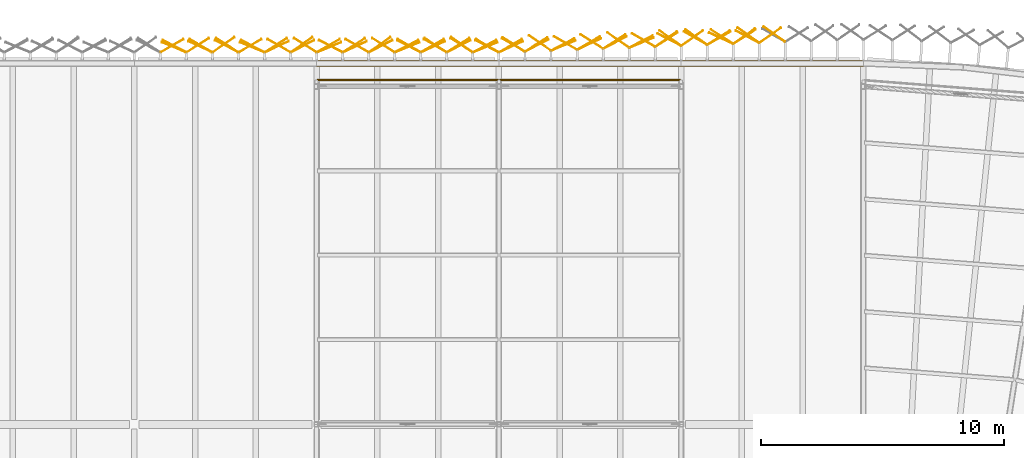
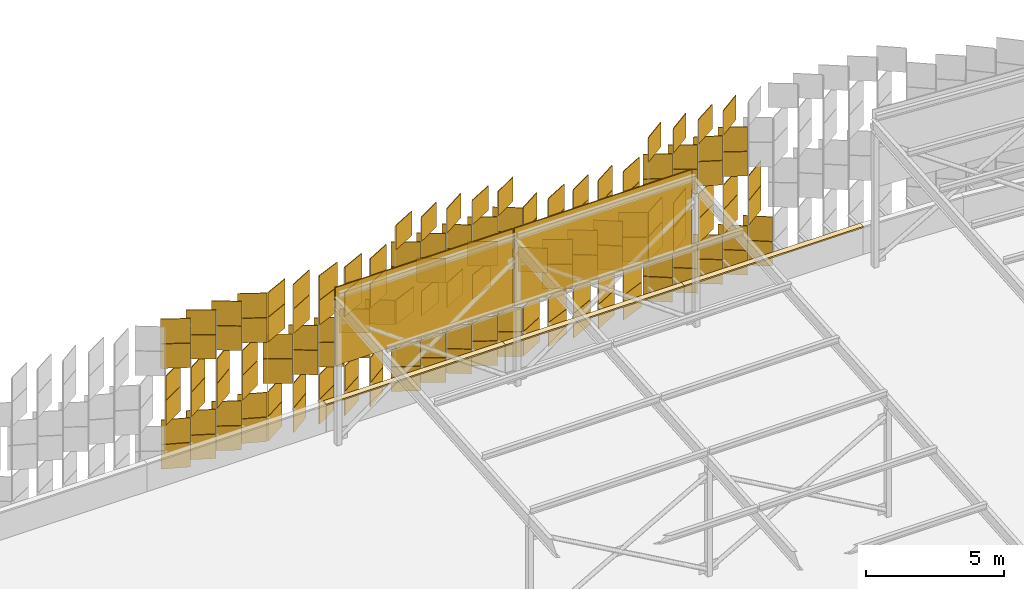
# One storey, part 480 of 483: 156 coverings.
"""IFC4 building model written with IfcOpenShell, lengths in metres."""

from ifc_helpers import new_model, si_unit, direction, frame, origin, origin_2d, place, context, subcontext, project, spatial, polyline, rectangle, outline, extrude, material, layer, layer_set, type_object, element, save


model = new_model("IFC4")

# Units and contexts
model_context = context("Model", 3, precision=1e-05, world=origin(), true_north=direction((0.0, 1.0)))
body_context = subcontext(model_context, "Body", "Model", "MODEL_VIEW")
ifc_project = project(units=[si_unit("LENGTHUNIT", "METRE"), si_unit("AREAUNIT", "SQUARE_METRE"), si_unit("VOLUMEUNIT", "CUBIC_METRE"), si_unit("PLANEANGLEUNIT", "RADIAN"), si_unit("MASSUNIT", "GRAM", prefix="KILO")], contexts=[model_context])

# Site, building, storey
site_placement = place(None, origin())
site = spatial("IfcSite", under=ifc_project, at=site_placement, CompositionType="ELEMENT")
building_placement = place(site_placement, origin())
building = spatial("IfcBuilding", under=site, at=building_placement, Name="Parallax Yard Mobility Hub", CompositionType="ELEMENT")
storey_placement = place(building_placement, frame((0.0, 0.0, 13.199951171875)))
storey = spatial("IfcBuildingStorey", under=building, at=storey_placement, Name="L04", CompositionType="ELEMENT", Elevation=13.199951171875)

# Coverings
ifc_material_1 = material(Name="Concrete fc' 35 MPa", Category="concrete")
ifc_layer_1 = layer(ifc_material_1, 0.06005859375)
ifc_layer_set_1 = layer_set([ifc_layer_1], Name="Parapet coping, Concrete fc' 35 MPa precast, 240")
covering_type_1 = type_object("IfcCoveringType", Name="Parapet coping, Concrete fc' 35 MPa precast, 240", PredefinedType="USERDEFINED", material=ifc_layer_set_1)
covering_1_placement = place(storey_placement, frame((0.0, 0.0, 1.199951171875)))
element("IfcCovering", 1, at=covering_1_placement, inside=storey, type_object=covering_type_1, Name="Parapet coping run 4 part 37", ObjectType="COPING", PredefinedType="USERDEFINED", context=body_context, shape_type="SweptSolid", body=[
    extrude(outline(polyline([(172.494384765625, 142.23388671875), (172.499267578125, 142.47412109375), (164.999755859375, 142.47412109375), (164.999755859375, 142.23388671875), (172.494384765625, 142.23388671875)])), origin(), (0.0, 0.0, 1.0), 0.06005859375),
])
covering_2_placement = place(storey_placement, frame((0.0, 0.0, 1.199951171875)))
element("IfcCovering", 2, at=covering_2_placement, inside=storey, type_object=covering_type_1, Name="Parapet coping run 4 part 38", ObjectType="COPING", PredefinedType="USERDEFINED", context=body_context, shape_type="SweptSolid", body=[
    extrude(outline(polyline([(164.999755859375, 142.23388671875), (164.999755859375, 142.47412109375), (157.499755859375, 142.47412109375), (157.499755859375, 142.23388671875), (164.999755859375, 142.23388671875)])), origin(), (0.0, 0.0, 1.0), 0.06005859375),
])
covering_3_placement = place(storey_placement, frame((0.0, 0.0, 1.199951171875)))
element("IfcCovering", 3, at=covering_3_placement, inside=storey, type_object=covering_type_1, Name="Parapet coping run 4 part 39", ObjectType="COPING", PredefinedType="USERDEFINED", context=body_context, shape_type="SweptSolid", body=[
    extrude(outline(polyline([(157.499755859375, 142.23388671875), (157.499755859375, 142.47412109375), (149.999755859375, 142.47412109375), (149.999755859375, 142.23388671875), (157.499755859375, 142.23388671875)])), origin(), (0.0, 0.0, 1.0), 0.06005859375),
])
ifc_material_2 = material(Name="Aluminium panel, silver anodised", Category="aluminium")
ifc_layer_2 = layer(ifc_material_2, 0.030029296875)
ifc_layer_set_2 = layer_set([ifc_layer_2], Name="Skin panel 22.5 degree turn, silver anodised")
covering_type_2 = type_object("IfcCoveringType", Name="Skin panel 22.5 degree turn, silver anodised", PredefinedType="CLADDING", material=ifc_layer_set_2)
for number, where, z_axis, x_axis, name in (
    (4, (163.371826171875, 143.2041015625, 0.02001953125), (0.0, 0.0, 1.0), (0.923879532511, 0.382683432365, 0.0), "Skin panel 22.5 bay 52.2 row 1 level L04"),
    (5, (163.371826171875, 143.2041015625, 1.1201171875), (0.0, 0.0, 1.0), (0.923879532511, 0.382683432365, 0.0), "Skin panel 22.5 bay 52.2 row 2 level L04"),
    (6, (160.1572265625, 143.083740234375, 0.02001953125), (0.0, 0.0, 1.0), (0.923879532511, 0.382683432365, 0.0), "Skin panel 22.5 bay 52.5 row 1 level L04"),
    (7, (160.1572265625, 143.083740234375, 1.1201171875), (0.0, 0.0, 1.0), (0.923879532511, 0.382683432365, 0.0), "Skin panel 22.5 bay 52.5 row 2 level L04"),
    (8, (156.9423828125, 143.012939453125, 2.219970703125), (0.0, 0.0, 1.0), (0.923879532511, 0.382683432365, 0.0), "Skin panel 22.5 bay 53.1 row 3 level L04"),
    (9, (156.9423828125, 143.012939453125, 3.320068359375), (0.0, 0.0, 1.0), (0.923879532511, 0.382683432365, 0.0), "Skin panel 22.5 bay 53.1 row 4 level L04"),
    (10, (153.727783203125, 143.012939453125, 2.219970703125), (0.0, 0.0, 1.0), (0.923879532511, 0.382683432365, 0.0), "Skin panel 22.5 bay 53.4 row 3 level L04"),
    (11, (153.727783203125, 143.012939453125, 3.320068359375), (0.0, 0.0, 1.0), (0.923879532511, 0.382683432365, 0.0), "Skin panel 22.5 bay 53.4 row 4 level L04"),
    (12, (150.51318359375, 143.012939453125, 4.419921875), (0.0, 0.0, 1.0), (0.923879532511, 0.382683432365, 0.0), "Skin panel 22.5 bay 53.7 row 5 level L04"),
    (13, (150.51318359375, 143.012939453125, 5.52001953125), (0.0, 0.0, 1.0), (0.923879532511, 0.382683432365, 0.0), "Skin panel 22.5 bay 53.7 row 6 level L04"),
    (14, (147.342041015625, 143.012939453125, 0.02001953125), (0.0, 0.0, 1.0), (-0.923879532511, 0.382683432365, 0.0), "Skin panel 22.5 bay 54.3 row 1 level L04"),
    (15, (147.342041015625, 143.012939453125, 1.1201171875), (0.0, 0.0, 1.0), (-0.923879532511, 0.382683432365, 0.0), "Skin panel 22.5 bay 54.3 row 2 level L04"),
    (16, (144.12744140625, 143.012939453125, 0.02001953125), (0.0, 0.0, 1.0), (-0.923879532511, 0.382683432365, 0.0), "Skin panel 22.5 bay 54.6 row 1 level L04"),
    (17, (144.12744140625, 143.012939453125, 1.1201171875), (0.0, 0.0, 1.0), (-0.923879532511, 0.382683432365, 0.0), "Skin panel 22.5 bay 54.6 row 2 level L04"),
):
    element("IfcCovering", number, at=place(storey_placement, frame(where, z_axis=z_axis, x_axis=x_axis)), inside=storey, type_object=covering_type_2, Name=name, ObjectType="SCREEN", PredefinedType="CLADDING", context=body_context, shape_type="SweptSolid", body=[
        extrude(rectangle(XDim=1.080078125, YDim=0.030029296875, at=origin_2d()), origin(), (0.0, 0.0, 1.0), 1.080078125),
    ])
ifc_layer_3 = layer(ifc_material_2, 0.030029296875)
ifc_layer_set_3 = layer_set([ifc_layer_3], Name="Skin panel 25 degree turn, silver anodised")
covering_type_3 = type_object("IfcCoveringType", Name="Skin panel 25 degree turn, silver anodised", PredefinedType="CLADDING", material=ifc_layer_set_3)
for number, where, z_axis, x_axis, name in (
    (18, (166.639892578125, 143.38671875, 4.419921875), (0.0, 0.0, 1.0), (-0.906307787037, 0.422618261741, 0.0), "Skin panel 25 bay 51.6 row 5 level L04"),
    (19, (166.639892578125, 143.38671875, 5.52001953125), (0.0, 0.0, 1.0), (-0.906307787037, 0.422618261741, 0.0), "Skin panel 25 bay 51.6 row 6 level L04"),
    (20, (161.218994140625, 143.14599609375, 0.02001953125), (0.0, 0.0, 1.0), (0.906307787037, 0.422618261741, 0.0), "Skin panel 25 bay 52.4 row 1 level L04"),
    (21, (161.218994140625, 143.14599609375, 1.1201171875), (0.0, 0.0, 1.0), (0.906307787037, 0.422618261741, 0.0), "Skin panel 25 bay 52.4 row 2 level L04"),
    (22, (158.00439453125, 143.03515625, 2.219970703125), (0.0, 0.0, 1.0), (0.906307787037, 0.422618261741, 0.0), "Skin panel 25 bay 52.7 row 3 level L04"),
    (23, (158.00439453125, 143.03515625, 3.320068359375), (0.0, 0.0, 1.0), (0.906307787037, 0.422618261741, 0.0), "Skin panel 25 bay 52.7 row 4 level L04"),
    (24, (154.789794921875, 143.03515625, 2.219970703125), (0.0, 0.0, 1.0), (0.906307787037, 0.422618261741, 0.0), "Skin panel 25 bay 53.3 row 3 level L04"),
    (25, (154.789794921875, 143.03515625, 3.320068359375), (0.0, 0.0, 1.0), (0.906307787037, 0.422618261741, 0.0), "Skin panel 25 bay 53.3 row 4 level L04"),
    (26, (151.574951171875, 143.03515625, 4.419921875), (0.0, 0.0, 1.0), (0.906307787037, 0.422618261741, 0.0), "Skin panel 25 bay 53.6 row 5 level L04"),
    (27, (151.574951171875, 143.03515625, 5.52001953125), (0.0, 0.0, 1.0), (0.906307787037, 0.422618261741, 0.0), "Skin panel 25 bay 53.6 row 6 level L04"),
    (28, (148.3603515625, 143.03515625, 4.419921875), (0.0, 0.0, 1.0), (0.906307787037, 0.422618261741, 0.0), "Skin panel 25 bay 54.2 row 5 level L04"),
    (29, (148.3603515625, 143.03515625, 5.52001953125), (0.0, 0.0, 1.0), (0.906307787037, 0.422618261741, 0.0), "Skin panel 25 bay 54.2 row 6 level L04"),
    (30, (145.208740234375, 143.03515625, 0.02001953125), (0.0, 0.0, 1.0), (-0.906307787037, 0.422618261741, 0.0), "Skin panel 25 bay 54.5 row 1 level L04"),
    (31, (145.208740234375, 143.03515625, 1.1201171875), (0.0, 0.0, 1.0), (-0.906307787037, 0.422618261741, 0.0), "Skin panel 25 bay 54.5 row 2 level L04"),
):
    element("IfcCovering", number, at=place(storey_placement, frame(where, z_axis=z_axis, x_axis=x_axis)), inside=storey, type_object=covering_type_3, Name=name, ObjectType="SCREEN", PredefinedType="CLADDING", context=body_context, shape_type="SweptSolid", body=[
        extrude(rectangle(XDim=1.080078125, YDim=0.030029296875, at=origin_2d()), origin(), (0.0, 0.0, 1.0), 1.080078125),
    ])
ifc_layer_4 = layer(ifc_material_2, 0.030029296875)
ifc_layer_set_4 = layer_set([ifc_layer_4], Name="Skin panel 27.5 degree turn, silver anodised")
covering_type_4 = type_object("IfcCoveringType", Name="Skin panel 27.5 degree turn, silver anodised", PredefinedType="CLADDING", material=ifc_layer_set_4)
for number, where, z_axis, x_axis, name in (
    (32, (167.72216796875, 143.448486328125, 4.419921875), (0.0, 0.0, 1.0), (-0.887010833178, 0.461748613235, 0.0), "Skin panel 27.5 bay 51.5 row 5 level L04"),
    (33, (167.72216796875, 143.448486328125, 5.52001953125), (0.0, 0.0, 1.0), (-0.887010833178, 0.461748613235, 0.0), "Skin panel 27.5 bay 51.5 row 6 level L04"),
    (34, (164.507568359375, 143.328125, 4.419921875), (0.0, 0.0, 1.0), (-0.887010833178, 0.461748613235, 0.0), "Skin panel 27.5 bay 52.1 row 5 level L04"),
    (35, (164.507568359375, 143.328125, 5.52001953125), (0.0, 0.0, 1.0), (-0.887010833178, 0.461748613235, 0.0), "Skin panel 27.5 bay 52.1 row 6 level L04"),
    (36, (163.351318359375, 143.248046875, 4.419921875), (0.0, 0.0, 1.0), (0.887010833178, 0.461748613235, 0.0), "Skin panel 27.5 bay 52.2 row 5 level L04"),
    (37, (163.351318359375, 143.248046875, 5.52001953125), (0.0, 0.0, 1.0), (0.887010833178, 0.461748613235, 0.0), "Skin panel 27.5 bay 52.2 row 6 level L04"),
    (38, (162.27978515625, 143.2080078125, 0.02001953125), (0.0, 0.0, 1.0), (0.887010833178, 0.461748613235, 0.0), "Skin panel 27.5 bay 52.3 row 1 level L04"),
    (39, (162.27978515625, 143.2080078125, 1.1201171875), (0.0, 0.0, 1.0), (0.887010833178, 0.461748613235, 0.0), "Skin panel 27.5 bay 52.3 row 2 level L04"),
    (40, (160.13671875, 143.127685546875, 4.419921875), (0.0, 0.0, 1.0), (0.887010833178, 0.461748613235, 0.0), "Skin panel 27.5 bay 52.5 row 5 level L04"),
    (41, (160.13671875, 143.127685546875, 5.52001953125), (0.0, 0.0, 1.0), (0.887010833178, 0.461748613235, 0.0), "Skin panel 27.5 bay 52.5 row 6 level L04"),
    (42, (159.065185546875, 143.087646484375, 0.02001953125), (0.0, 0.0, 1.0), (0.887010833178, 0.461748613235, 0.0), "Skin panel 27.5 bay 52.6 row 1 level L04"),
    (43, (159.065185546875, 143.087646484375, 1.1201171875), (0.0, 0.0, 1.0), (0.887010833178, 0.461748613235, 0.0), "Skin panel 27.5 bay 52.6 row 2 level L04"),
    (44, (157.006591796875, 143.056884765625, 0.02001953125), (0.0, 0.0, 1.0), (-0.887010833178, 0.461748613235, 0.0), "Skin panel 27.5 bay 53.1 row 1 level L04"),
    (45, (157.006591796875, 143.056884765625, 1.1201171875), (0.0, 0.0, 1.0), (-0.887010833178, 0.461748613235, 0.0), "Skin panel 27.5 bay 53.1 row 2 level L04"),
    (46, (156.922119140625, 143.056884765625, 6.6201171875), (0.0, 0.0, 1.0), (0.887010833178, 0.461748613235, 0.0), "Skin panel 27.5 bay 53.1 row 7 level L04"),
    (47, (155.8505859375, 143.056884765625, 2.219970703125), (0.0, 0.0, 1.0), (0.887010833178, 0.461748613235, 0.0), "Skin panel 27.5 bay 53.2 row 3 level L04"),
    (48, (155.8505859375, 143.056884765625, 3.320068359375), (0.0, 0.0, 1.0), (0.887010833178, 0.461748613235, 0.0), "Skin panel 27.5 bay 53.2 row 4 level L04"),
    (49, (153.7919921875, 143.056884765625, 0.02001953125), (0.0, 0.0, 1.0), (-0.887010833178, 0.461748613235, 0.0), "Skin panel 27.5 bay 53.4 row 1 level L04"),
    (50, (153.7919921875, 143.056884765625, 1.1201171875), (0.0, 0.0, 1.0), (-0.887010833178, 0.461748613235, 0.0), "Skin panel 27.5 bay 53.4 row 2 level L04"),
    (51, (153.70751953125, 143.056884765625, 6.6201171875), (0.0, 0.0, 1.0), (0.887010833178, 0.461748613235, 0.0), "Skin panel 27.5 bay 53.4 row 7 level L04"),
    (52, (152.6357421875, 143.056884765625, 4.419921875), (0.0, 0.0, 1.0), (0.887010833178, 0.461748613235, 0.0), "Skin panel 27.5 bay 53.5 row 5 level L04"),
    (53, (152.6357421875, 143.056884765625, 5.52001953125), (0.0, 0.0, 1.0), (0.887010833178, 0.461748613235, 0.0), "Skin panel 27.5 bay 53.5 row 6 level L04"),
    (54, (150.577392578125, 143.056884765625, 2.219970703125), (0.0, 0.0, 1.0), (-0.887010833178, 0.461748613235, 0.0), "Skin panel 27.5 bay 53.7 row 3 level L04"),
    (55, (150.577392578125, 143.056884765625, 3.320068359375), (0.0, 0.0, 1.0), (-0.887010833178, 0.461748613235, 0.0), "Skin panel 27.5 bay 53.7 row 4 level L04"),
    (56, (149.421142578125, 143.056884765625, 4.419921875), (0.0, 0.0, 1.0), (0.887010833178, 0.461748613235, 0.0), "Skin panel 27.5 bay 54.1 row 5 level L04"),
    (57, (149.421142578125, 143.056884765625, 5.52001953125), (0.0, 0.0, 1.0), (0.887010833178, 0.461748613235, 0.0), "Skin panel 27.5 bay 54.1 row 6 level L04"),
    (58, (147.362548828125, 143.056884765625, 4.419921875), (0.0, 0.0, 1.0), (-0.887010833178, 0.461748613235, 0.0), "Skin panel 27.5 bay 54.3 row 5 level L04"),
    (59, (147.362548828125, 143.056884765625, 5.52001953125), (0.0, 0.0, 1.0), (-0.887010833178, 0.461748613235, 0.0), "Skin panel 27.5 bay 54.3 row 6 level L04"),
    (60, (146.291015625, 143.056884765625, 0.02001953125), (0.0, 0.0, 1.0), (-0.887010833178, 0.461748613235, 0.0), "Skin panel 27.5 bay 54.4 row 1 level L04"),
    (61, (146.291015625, 143.056884765625, 1.1201171875), (0.0, 0.0, 1.0), (-0.887010833178, 0.461748613235, 0.0), "Skin panel 27.5 bay 54.4 row 2 level L04"),
    (62, (144.14794921875, 143.056884765625, 4.419921875), (0.0, 0.0, 1.0), (-0.887010833178, 0.461748613235, 0.0), "Skin panel 27.5 bay 54.6 row 5 level L04"),
    (63, (144.14794921875, 143.056884765625, 5.52001953125), (0.0, 0.0, 1.0), (-0.887010833178, 0.461748613235, 0.0), "Skin panel 27.5 bay 54.6 row 6 level L04"),
):
    element("IfcCovering", number, at=place(storey_placement, frame(where, z_axis=z_axis, x_axis=x_axis)), inside=storey, type_object=covering_type_4, Name=name, ObjectType="SCREEN", PredefinedType="CLADDING", context=body_context, shape_type="SweptSolid", body=[
        extrude(rectangle(XDim=1.080078125, YDim=0.030029296875, at=origin_2d()), origin(), (0.0, 0.0, 1.0), 1.080078125),
    ])
ifc_layer_5 = layer(ifc_material_2, 0.030029296875)
ifc_layer_set_5 = layer_set([ifc_layer_5], Name="Skin panel 30 degree turn, silver anodised")
covering_type_5 = type_object("IfcCoveringType", Name="Skin panel 30 degree turn, silver anodised", PredefinedType="CLADDING", material=ifc_layer_set_5)
for number, where, z_axis, x_axis, name in (
    (64, (166.55419921875, 143.389404296875, 2.219970703125), (0.0, 0.0, 1.0), (0.866025403784, 0.5, 0.0), "Skin panel 30 bay 51.6 row 3 level L04"),
    (65, (166.55419921875, 143.389404296875, 3.320068359375), (0.0, 0.0, 1.0), (0.866025403784, 0.5, 0.0), "Skin panel 30 bay 51.6 row 4 level L04"),
    (66, (165.5908203125, 143.389404296875, 4.419921875), (0.0, 0.0, 1.0), (-0.866025403784, 0.5, 0.0), "Skin panel 30 bay 51.7 row 5 level L04"),
    (67, (165.5908203125, 143.389404296875, 5.52001953125), (0.0, 0.0, 1.0), (-0.866025403784, 0.5, 0.0), "Skin panel 30 bay 51.7 row 6 level L04"),
    (68, (163.447509765625, 143.309326171875, 2.219970703125), (0.0, 0.0, 1.0), (-0.866025403784, 0.5, 0.0), "Skin panel 30 bay 52.2 row 3 level L04"),
    (69, (163.447509765625, 143.309326171875, 3.320068359375), (0.0, 0.0, 1.0), (-0.866025403784, 0.5, 0.0), "Skin panel 30 bay 52.2 row 4 level L04"),
    (70, (161.196533203125, 143.189208984375, 4.419921875), (0.0, 0.0, 1.0), (0.866025403784, 0.5, 0.0), "Skin panel 30 bay 52.4 row 5 level L04"),
    (71, (161.196533203125, 143.189208984375, 5.52001953125), (0.0, 0.0, 1.0), (0.866025403784, 0.5, 0.0), "Skin panel 30 bay 52.4 row 6 level L04"),
    (72, (160.23291015625, 143.189208984375, 2.219970703125), (0.0, 0.0, 1.0), (-0.866025403784, 0.5, 0.0), "Skin panel 30 bay 52.5 row 3 level L04"),
    (73, (160.23291015625, 143.189208984375, 3.320068359375), (0.0, 0.0, 1.0), (-0.866025403784, 0.5, 0.0), "Skin panel 30 bay 52.5 row 4 level L04"),
    (74, (158.08984375, 143.10888671875, 0.02001953125), (0.0, 0.0, 1.0), (-0.866025403784, 0.5, 0.0), "Skin panel 30 bay 52.7 row 1 level L04"),
    (75, (158.08984375, 143.10888671875, 1.1201171875), (0.0, 0.0, 1.0), (-0.866025403784, 0.5, 0.0), "Skin panel 30 bay 52.7 row 2 level L04"),
    (76, (157.98193359375, 143.078125, 6.6201171875), (0.0, 0.0, 1.0), (0.866025403784, 0.5, 0.0), "Skin panel 30 bay 52.7 row 7 level L04"),
    (77, (157.018310546875, 143.078125, 4.419921875), (0.0, 0.0, 1.0), (-0.866025403784, 0.5, 0.0), "Skin panel 30 bay 53.1 row 5 level L04"),
    (78, (157.018310546875, 143.078125, 5.52001953125), (0.0, 0.0, 1.0), (-0.866025403784, 0.5, 0.0), "Skin panel 30 bay 53.1 row 6 level L04"),
    (79, (154.875244140625, 143.078125, 0.02001953125), (0.0, 0.0, 1.0), (-0.866025403784, 0.5, 0.0), "Skin panel 30 bay 53.3 row 1 level L04"),
    (80, (154.875244140625, 143.078125, 1.1201171875), (0.0, 0.0, 1.0), (-0.866025403784, 0.5, 0.0), "Skin panel 30 bay 53.3 row 2 level L04"),
    (81, (154.76708984375, 143.078125, 6.6201171875), (0.0, 0.0, 1.0), (0.866025403784, 0.5, 0.0), "Skin panel 30 bay 53.3 row 7 level L04"),
    (82, (153.8037109375, 143.078125, 4.419921875), (0.0, 0.0, 1.0), (-0.866025403784, 0.5, 0.0), "Skin panel 30 bay 53.4 row 5 level L04"),
    (83, (153.8037109375, 143.078125, 5.52001953125), (0.0, 0.0, 1.0), (-0.866025403784, 0.5, 0.0), "Skin panel 30 bay 53.4 row 6 level L04"),
    (84, (151.660400390625, 143.078125, 2.219970703125), (0.0, 0.0, 1.0), (-0.866025403784, 0.5, 0.0), "Skin panel 30 bay 53.6 row 3 level L04"),
    (85, (151.660400390625, 143.078125, 3.320068359375), (0.0, 0.0, 1.0), (-0.866025403784, 0.5, 0.0), "Skin panel 30 bay 53.6 row 4 level L04"),
    (86, (150.48095703125, 143.078125, 0.02001953125), (0.0, 0.0, 1.0), (0.866025403784, 0.5, 0.0), "Skin panel 30 bay 53.7 row 1 level L04"),
    (87, (150.48095703125, 143.078125, 1.1201171875), (0.0, 0.0, 1.0), (0.866025403784, 0.5, 0.0), "Skin panel 30 bay 53.7 row 2 level L04"),
    (88, (148.44580078125, 143.078125, 2.219970703125), (0.0, 0.0, 1.0), (-0.866025403784, 0.5, 0.0), "Skin panel 30 bay 54.2 row 3 level L04"),
    (89, (148.44580078125, 143.078125, 3.320068359375), (0.0, 0.0, 1.0), (-0.866025403784, 0.5, 0.0), "Skin panel 30 bay 54.2 row 4 level L04"),
    (90, (147.266357421875, 143.078125, 2.219970703125), (0.0, 0.0, 1.0), (0.866025403784, 0.5, 0.0), "Skin panel 30 bay 54.3 row 3 level L04"),
    (91, (147.266357421875, 143.078125, 3.320068359375), (0.0, 0.0, 1.0), (0.866025403784, 0.5, 0.0), "Skin panel 30 bay 54.3 row 4 level L04"),
    (92, (145.231201171875, 143.078125, 4.419921875), (0.0, 0.0, 1.0), (-0.866025403784, 0.5, 0.0), "Skin panel 30 bay 54.5 row 5 level L04"),
    (93, (145.231201171875, 143.078125, 5.52001953125), (0.0, 0.0, 1.0), (-0.866025403784, 0.5, 0.0), "Skin panel 30 bay 54.5 row 6 level L04"),
    (94, (144.0517578125, 143.078125, 2.219970703125), (0.0, 0.0, 1.0), (0.866025403784, 0.5, 0.0), "Skin panel 30 bay 54.6 row 3 level L04"),
    (95, (144.0517578125, 143.078125, 3.320068359375), (0.0, 0.0, 1.0), (0.866025403784, 0.5, 0.0), "Skin panel 30 bay 54.6 row 4 level L04"),
):
    element("IfcCovering", number, at=place(storey_placement, frame(where, z_axis=z_axis, x_axis=x_axis)), inside=storey, type_object=covering_type_5, Name=name, ObjectType="SCREEN", PredefinedType="CLADDING", context=body_context, shape_type="SweptSolid", body=[
        extrude(rectangle(XDim=1.080078125, YDim=0.030029296875, at=origin_2d()), origin(), (0.0, 0.0, 1.0), 1.080078125),
    ])
ifc_layer_6 = layer(ifc_material_2, 0.030029296875)
ifc_layer_set_6 = layer_set([ifc_layer_6], Name="Skin panel 32.5 degree turn, silver anodised")
covering_type_6 = type_object("IfcCoveringType", Name="Skin panel 32.5 degree turn, silver anodised", PredefinedType="CLADDING", material=ifc_layer_set_6)
for number, where, z_axis, x_axis, name in (
    (96, (167.61328125, 143.450439453125, 2.219970703125), (0.0, 0.0, 1.0), (0.843391445813, 0.537299608347, 0.0), "Skin panel 32.5 bay 51.5 row 3 level L04"),
    (97, (167.61328125, 143.450439453125, 3.320068359375), (0.0, 0.0, 1.0), (0.843391445813, 0.537299608347, 0.0), "Skin panel 32.5 bay 51.5 row 4 level L04"),
    (98, (166.6748046875, 143.450439453125, 0.02001953125), (0.0, 0.0, 1.0), (-0.843391445813, 0.537299608347, 0.0), "Skin panel 32.5 bay 51.6 row 1 level L04"),
    (99, (166.6748046875, 143.450439453125, 1.1201171875), (0.0, 0.0, 1.0), (-0.843391445813, 0.537299608347, 0.0), "Skin panel 32.5 bay 51.6 row 2 level L04"),
    (100, (166.541748046875, 143.410400390625, 6.6201171875), (0.0, 0.0, 1.0), (0.843391445813, 0.537299608347, 0.0), "Skin panel 32.5 bay 51.6 row 7 level L04"),
    (101, (164.398681640625, 143.330078125, 2.219970703125), (0.0, 0.0, 1.0), (0.843391445813, 0.537299608347, 0.0), "Skin panel 32.5 bay 52.1 row 3 level L04"),
    (102, (164.398681640625, 143.330078125, 3.320068359375), (0.0, 0.0, 1.0), (0.843391445813, 0.537299608347, 0.0), "Skin panel 32.5 bay 52.1 row 4 level L04"),
    (103, (162.255615234375, 143.25, 4.419921875), (0.0, 0.0, 1.0), (0.843391445813, 0.537299608347, 0.0), "Skin panel 32.5 bay 52.3 row 5 level L04"),
    (104, (162.255615234375, 143.25, 5.52001953125), (0.0, 0.0, 1.0), (0.843391445813, 0.537299608347, 0.0), "Skin panel 32.5 bay 52.3 row 6 level L04"),
    (105, (161.317138671875, 143.25, 2.219970703125), (0.0, 0.0, 1.0), (-0.843391445813, 0.537299608347, 0.0), "Skin panel 32.5 bay 52.4 row 3 level L04"),
    (106, (161.317138671875, 143.25, 3.320068359375), (0.0, 0.0, 1.0), (-0.843391445813, 0.537299608347, 0.0), "Skin panel 32.5 bay 52.4 row 4 level L04"),
    (107, (159.041015625, 143.129638671875, 4.419921875), (0.0, 0.0, 1.0), (0.843391445813, 0.537299608347, 0.0), "Skin panel 32.5 bay 52.6 row 5 level L04"),
    (108, (159.041015625, 143.129638671875, 5.52001953125), (0.0, 0.0, 1.0), (0.843391445813, 0.537299608347, 0.0), "Skin panel 32.5 bay 52.6 row 6 level L04"),
    (109, (158.102294921875, 143.129638671875, 4.419921875), (0.0, 0.0, 1.0), (-0.843391445813, 0.537299608347, 0.0), "Skin panel 32.5 bay 52.7 row 5 level L04"),
    (110, (158.102294921875, 143.129638671875, 5.52001953125), (0.0, 0.0, 1.0), (-0.843391445813, 0.537299608347, 0.0), "Skin panel 32.5 bay 52.7 row 6 level L04"),
    (111, (155.959228515625, 143.098876953125, 0.02001953125), (0.0, 0.0, 1.0), (-0.843391445813, 0.537299608347, 0.0), "Skin panel 32.5 bay 53.2 row 1 level L04"),
    (112, (155.959228515625, 143.098876953125, 1.1201171875), (0.0, 0.0, 1.0), (-0.843391445813, 0.537299608347, 0.0), "Skin panel 32.5 bay 53.2 row 2 level L04"),
    (113, (155.826171875, 143.098876953125, 6.6201171875), (0.0, 0.0, 1.0), (0.843391445813, 0.537299608347, 0.0), "Skin panel 32.5 bay 53.2 row 7 level L04"),
    (114, (154.8876953125, 143.098876953125, 4.419921875), (0.0, 0.0, 1.0), (-0.843391445813, 0.537299608347, 0.0), "Skin panel 32.5 bay 53.3 row 5 level L04"),
    (115, (154.8876953125, 143.098876953125, 5.52001953125), (0.0, 0.0, 1.0), (-0.843391445813, 0.537299608347, 0.0), "Skin panel 32.5 bay 53.3 row 6 level L04"),
    (116, (152.74462890625, 143.098876953125, 2.219970703125), (0.0, 0.0, 1.0), (-0.843391445813, 0.537299608347, 0.0), "Skin panel 32.5 bay 53.5 row 3 level L04"),
    (117, (152.74462890625, 143.098876953125, 3.320068359375), (0.0, 0.0, 1.0), (-0.843391445813, 0.537299608347, 0.0), "Skin panel 32.5 bay 53.5 row 4 level L04"),
    (118, (151.5400390625, 143.098876953125, 0.02001953125), (0.0, 0.0, 1.0), (0.843391445813, 0.537299608347, 0.0), "Skin panel 32.5 bay 53.6 row 1 level L04"),
    (119, (151.5400390625, 143.098876953125, 1.1201171875), (0.0, 0.0, 1.0), (0.843391445813, 0.537299608347, 0.0), "Skin panel 32.5 bay 53.6 row 2 level L04"),
    (120, (149.530029296875, 143.098876953125, 2.219970703125), (0.0, 0.0, 1.0), (-0.843391445813, 0.537299608347, 0.0), "Skin panel 32.5 bay 54.1 row 3 level L04"),
    (121, (149.530029296875, 143.098876953125, 3.320068359375), (0.0, 0.0, 1.0), (-0.843391445813, 0.537299608347, 0.0), "Skin panel 32.5 bay 54.1 row 4 level L04"),
    (122, (148.3251953125, 143.098876953125, 0.02001953125), (0.0, 0.0, 1.0), (0.843391445813, 0.537299608347, 0.0), "Skin panel 32.5 bay 54.2 row 1 level L04"),
    (123, (148.3251953125, 143.098876953125, 1.1201171875), (0.0, 0.0, 1.0), (0.843391445813, 0.537299608347, 0.0), "Skin panel 32.5 bay 54.2 row 2 level L04"),
    (124, (146.315185546875, 143.098876953125, 4.419921875), (0.0, 0.0, 1.0), (-0.843391445813, 0.537299608347, 0.0), "Skin panel 32.5 bay 54.4 row 5 level L04"),
    (125, (146.315185546875, 143.098876953125, 5.52001953125), (0.0, 0.0, 1.0), (-0.843391445813, 0.537299608347, 0.0), "Skin panel 32.5 bay 54.4 row 6 level L04"),
    (126, (145.110595703125, 143.098876953125, 2.219970703125), (0.0, 0.0, 1.0), (0.843391445813, 0.537299608347, 0.0), "Skin panel 32.5 bay 54.5 row 3 level L04"),
    (127, (145.110595703125, 143.098876953125, 3.320068359375), (0.0, 0.0, 1.0), (0.843391445813, 0.537299608347, 0.0), "Skin panel 32.5 bay 54.5 row 4 level L04"),
):
    element("IfcCovering", number, at=place(storey_placement, frame(where, z_axis=z_axis, x_axis=x_axis)), inside=storey, type_object=covering_type_6, Name=name, ObjectType="SCREEN", PredefinedType="CLADDING", context=body_context, shape_type="SweptSolid", body=[
        extrude(rectangle(XDim=1.080078125, YDim=0.030029296875, at=origin_2d()), origin(), (0.0, 0.0, 1.0), 1.080078125),
    ])
ifc_layer_7 = layer(ifc_material_2, 0.030029296875)
ifc_layer_set_7 = layer_set([ifc_layer_7], Name="Skin panel 35 degree turn, silver anodised")
covering_type_7 = type_object("IfcCoveringType", Name="Skin panel 35 degree turn, silver anodised", PredefinedType="CLADDING", material=ifc_layer_set_7)
for number, where, z_axis, x_axis, name in (
    (128, (168.83154296875, 143.55078125, 0.02001953125), (0.0, 0.0, 1.0), (-0.819152044289, 0.573576436351, 0.0), "Skin panel 35 bay 51.4 row 1 level L04"),
    (129, (168.83154296875, 143.55078125, 1.1201171875), (0.0, 0.0, 1.0), (-0.819152044289, 0.573576436351, 0.0), "Skin panel 35 bay 51.4 row 2 level L04"),
    (130, (168.67138671875, 143.510498046875, 2.219970703125), (0.0, 0.0, 1.0), (0.819152044289, 0.573576436351, 0.0), "Skin panel 35 bay 51.4 row 3 level L04"),
    (131, (168.67138671875, 143.510498046875, 3.320068359375), (0.0, 0.0, 1.0), (0.819152044289, 0.573576436351, 0.0), "Skin panel 35 bay 51.4 row 4 level L04"),
    (132, (167.760009765625, 143.510498046875, 0.02001953125), (0.0, 0.0, 1.0), (-0.819152044289, 0.573576436351, 0.0), "Skin panel 35 bay 51.5 row 1 level L04"),
    (133, (167.760009765625, 143.510498046875, 1.1201171875), (0.0, 0.0, 1.0), (-0.819152044289, 0.573576436351, 0.0), "Skin panel 35 bay 51.5 row 2 level L04"),
    (134, (167.599853515625, 143.470458984375, 6.6201171875), (0.0, 0.0, 1.0), (0.819152044289, 0.573576436351, 0.0), "Skin panel 35 bay 51.5 row 7 level L04"),
    (135, (165.61669921875, 143.430419921875, 0.02001953125), (0.0, 0.0, 1.0), (-0.819152044289, 0.573576436351, 0.0), "Skin panel 35 bay 51.7 row 1 level L04"),
    (136, (165.61669921875, 143.430419921875, 1.1201171875), (0.0, 0.0, 1.0), (-0.819152044289, 0.573576436351, 0.0), "Skin panel 35 bay 51.7 row 2 level L04"),
    (137, (165.456787109375, 143.390380859375, 2.219970703125), (0.0, 0.0, 1.0), (0.819152044289, 0.573576436351, 0.0), "Skin panel 35 bay 51.7 row 3 level L04"),
    (138, (165.456787109375, 143.390380859375, 3.320068359375), (0.0, 0.0, 1.0), (0.819152044289, 0.573576436351, 0.0), "Skin panel 35 bay 51.7 row 4 level L04"),
    (139, (165.456787109375, 143.390380859375, 6.6201171875), (0.0, 0.0, 1.0), (0.819152044289, 0.573576436351, 0.0), "Skin panel 35 bay 51.7 row 7 level L04"),
    (140, (164.545166015625, 143.390380859375, 0.02001953125), (0.0, 0.0, 1.0), (-0.819152044289, 0.573576436351, 0.0), "Skin panel 35 bay 52.1 row 1 level L04"),
    (141, (164.545166015625, 143.390380859375, 1.1201171875), (0.0, 0.0, 1.0), (-0.819152044289, 0.573576436351, 0.0), "Skin panel 35 bay 52.1 row 2 level L04"),
    (142, (164.38525390625, 143.350341796875, 6.6201171875), (0.0, 0.0, 1.0), (0.819152044289, 0.573576436351, 0.0), "Skin panel 35 bay 52.1 row 7 level L04"),
    (143, (162.402099609375, 143.310302734375, 2.219970703125), (0.0, 0.0, 1.0), (-0.819152044289, 0.573576436351, 0.0), "Skin panel 35 bay 52.3 row 3 level L04"),
    (144, (162.402099609375, 143.310302734375, 3.320068359375), (0.0, 0.0, 1.0), (-0.819152044289, 0.573576436351, 0.0), "Skin panel 35 bay 52.3 row 4 level L04"),
    (145, (159.1875, 143.18994140625, 2.219970703125), (0.0, 0.0, 1.0), (-0.819152044289, 0.573576436351, 0.0), "Skin panel 35 bay 52.6 row 3 level L04"),
    (146, (159.1875, 143.18994140625, 3.320068359375), (0.0, 0.0, 1.0), (-0.819152044289, 0.573576436351, 0.0), "Skin panel 35 bay 52.6 row 4 level L04"),
    (147, (155.972900390625, 143.119140625, 4.419921875), (0.0, 0.0, 1.0), (-0.819152044289, 0.573576436351, 0.0), "Skin panel 35 bay 53.2 row 5 level L04"),
    (148, (155.972900390625, 143.119140625, 5.52001953125), (0.0, 0.0, 1.0), (-0.819152044289, 0.573576436351, 0.0), "Skin panel 35 bay 53.2 row 6 level L04"),
    (149, (152.59814453125, 143.119140625, 0.02001953125), (0.0, 0.0, 1.0), (0.819152044289, 0.573576436351, 0.0), "Skin panel 35 bay 53.5 row 1 level L04"),
    (150, (152.59814453125, 143.119140625, 1.1201171875), (0.0, 0.0, 1.0), (0.819152044289, 0.573576436351, 0.0), "Skin panel 35 bay 53.5 row 2 level L04"),
    (151, (149.38330078125, 143.119140625, 0.02001953125), (0.0, 0.0, 1.0), (0.819152044289, 0.573576436351, 0.0), "Skin panel 35 bay 54.1 row 1 level L04"),
    (152, (149.38330078125, 143.119140625, 1.1201171875), (0.0, 0.0, 1.0), (0.819152044289, 0.573576436351, 0.0), "Skin panel 35 bay 54.1 row 2 level L04"),
    (153, (146.168701171875, 143.119140625, 2.219970703125), (0.0, 0.0, 1.0), (0.819152044289, 0.573576436351, 0.0), "Skin panel 35 bay 54.4 row 3 level L04"),
    (154, (146.168701171875, 143.119140625, 3.320068359375), (0.0, 0.0, 1.0), (0.819152044289, 0.573576436351, 0.0), "Skin panel 35 bay 54.4 row 4 level L04"),
):
    element("IfcCovering", number, at=place(storey_placement, frame(where, z_axis=z_axis, x_axis=x_axis)), inside=storey, type_object=covering_type_7, Name=name, ObjectType="SCREEN", PredefinedType="CLADDING", context=body_context, shape_type="SweptSolid", body=[
        extrude(rectangle(XDim=1.080078125, YDim=0.030029296875, at=origin_2d()), origin(), (0.0, 0.0, 1.0), 1.080078125),
    ])
ifc_material_3 = material(Name="Anodised aluminium louvre panel", Category="aluminium")
ifc_layer_8 = layer(ifc_material_3, 0.050048828125)
ifc_layer_set_8 = layer_set([ifc_layer_8], Name="Storm valance louvre panel 50")
covering_type_8 = type_object("IfcCoveringType", Name="Storm valance louvre panel 50", PredefinedType="CLADDING", material=ifc_layer_set_8)
covering_4_placement = place(storey_placement, frame((0.0, 0.0, 3.300048828125)))
element("IfcCovering", 155, at=covering_4_placement, inside=storey, type_object=covering_type_8, Name="Storm valance sector N-C bay 1", PredefinedType="CLADDING", context=body_context, shape_type="SweptSolid", body=[
    extrude(outline(polyline([(150.030029296875, 141.639892578125), (157.469970703125, 141.639892578125), (157.469970703125, 141.68994140625), (150.030029296875, 141.68994140625), (150.030029296875, 141.639892578125)])), origin(), (0.0, 0.0, 1.0), 3.46630859375),
])
covering_5_placement = place(storey_placement, frame((0.0, 0.0, 3.300048828125)))
element("IfcCovering", 156, at=covering_5_placement, inside=storey, type_object=covering_type_8, Name="Storm valance sector N-C bay 2", PredefinedType="CLADDING", context=body_context, shape_type="SweptSolid", body=[
    extrude(outline(polyline([(157.530029296875, 141.639892578125), (164.969970703125, 141.639892578125), (164.969970703125, 141.68994140625), (157.530029296875, 141.68994140625), (157.530029296875, 141.639892578125)])), origin(), (0.0, 0.0, 1.0), 3.46630859375),
])

save(model, "model.ifc")
